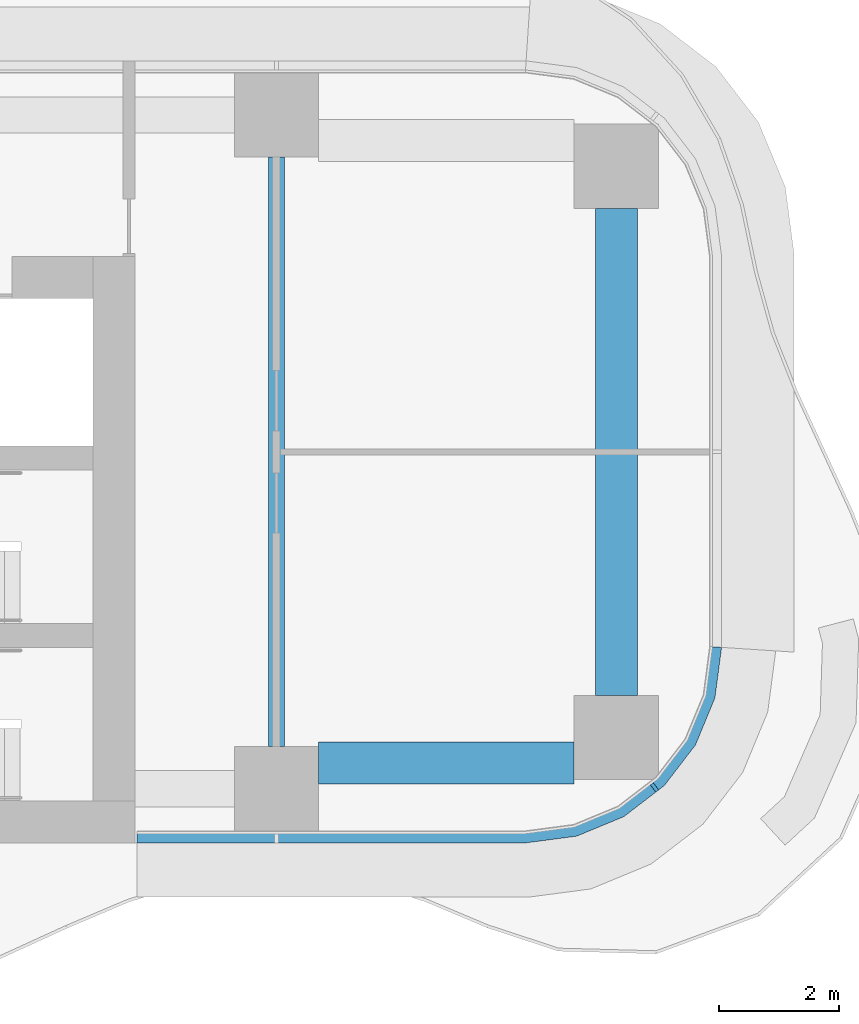
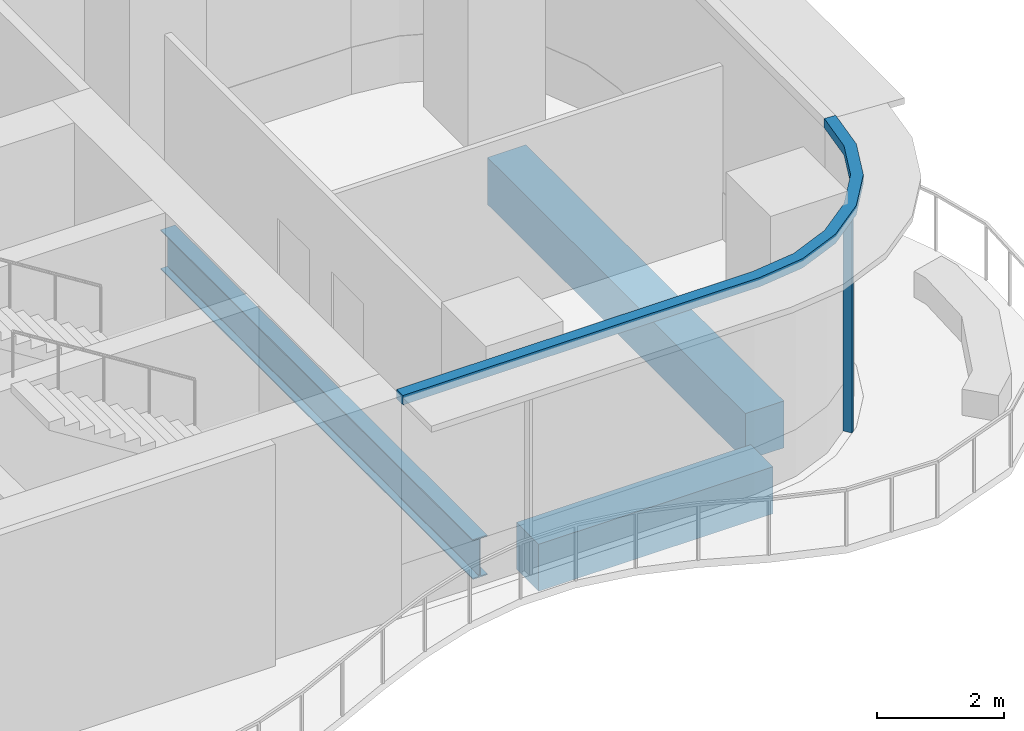
# One storey, part 7 of 22: 3 beams, 2 members, 1 element without a shape of its own.
"""IFC4 building model written with IfcOpenShell, lengths in metres."""

from ifc_helpers import new_model, si_unit, direction, frame, origin, origin_2d, place, context, subcontext, project, spatial, polyline, rectangle, i_section, outline, extrude, source, transform, mapped, material, layer, layer_set, material_profile, profile_set, type_object, element, aggregate, save


model = new_model("IFC4")

# Units and contexts
model_context = context("Model", 3, precision=1e-05, world=origin(), true_north=direction((0.0, 1.0)))
body_context = subcontext(model_context, "Body", "Model", "MODEL_VIEW")
ifc_project = project(units=[si_unit("LENGTHUNIT", "METRE"), si_unit("AREAUNIT", "SQUARE_METRE"), si_unit("VOLUMEUNIT", "CUBIC_METRE"), si_unit("PLANEANGLEUNIT", "RADIAN"), si_unit("MASSUNIT", "GRAM", prefix="KILO")], contexts=[model_context])

# Site, building, storey
site_placement = place(None, origin())
site = spatial("IfcSite", under=ifc_project, at=site_placement, CompositionType="ELEMENT")
building_placement = place(site_placement, origin())
building = spatial("IfcBuilding", under=site, at=building_placement, Name="Trellis Farm Tower", CompositionType="ELEMENT")
storey_placement = place(building_placement, frame((0.0, 0.0, 52.0)))
storey = spatial("IfcBuildingStorey", under=building, at=storey_placement, Name="L10", CompositionType="ELEMENT", Elevation=52.0)

# Beams
ifc_material_1 = material(Name="Steel S355", Category="steel")
ifc_material_profile_1 = material_profile(ifc_material_1, i_section(OverallWidth=0.2666015625, OverallDepth=0.76220703125, WebThickness=0.014404296875, FlangeThickness=0.021484375, FilletRadius=0.0166015625, at=origin_2d()), Name="UB 762x267x173")
ifc_profile_set_1 = profile_set([ifc_material_profile_1], Name="Steel S355")
beam_type_1 = type_object("IfcBeamType", Name="UB 762x267x173", PredefinedType="BEAM", material=ifc_profile_set_1)
shared_shape_1 = source(origin(), body_context, "Body", "SweptSolid", [
    extrude(i_section(OverallWidth=0.2666015625, OverallDepth=0.76220703125, WebThickness=0.014404296875, FlangeThickness=0.021484375, FilletRadius=0.0166015625, at=origin_2d()), origin(), (0.0, 0.0, 1.0), 9.7998046875),
])
beam_1_placement = place(storey_placement, frame((25.10009765625, -4.89990234375, -0.631103515625), z_axis=(0.0, 1.0, 0.0), x_axis=(-1.0, 0.0, 0.0)))
element("IfcBeam", 1, at=beam_1_placement, inside=storey, type_object=beam_type_1, Name="Girder", PredefinedType="BEAM", context=body_context, shape_type="MappedRepresentation", body=[
    mapped(shared_shape_1, transform((0.0, 0.0, 0.0))),
])
ifc_material_2 = material(Name="Concrete C60/75", Category="concrete")
ifc_material_profile_2 = material_profile(ifc_material_2, rectangle(XDim=0.699951171875, YDim=0.89990234375, at=origin_2d()), Name="RC spandrel beam 700x900 C60/75")
ifc_profile_set_2 = profile_set([ifc_material_profile_2], Name="Concrete C60/75")
beam_type_2 = type_object("IfcBeamType", Name="RC spandrel beam 700x900 C60/75", PredefinedType="SPANDREL", material=ifc_profile_set_2)
shared_shape_2 = source(origin(), body_context, "Body", "SweptSolid", [
    extrude(rectangle(XDim=0.699951171875, YDim=0.89990234375, at=origin_2d()), origin(), (0.0, 0.0, 1.0), 4.25),
])
beam_2_placement = place(storey_placement, frame((25.800048828125, -5.175048828125, -0.699951171875), z_axis=(1.0, 0.0, 0.0), x_axis=(0.0, 1.0, 0.0)))
element("IfcBeam", 2, at=beam_2_placement, inside=storey, type_object=beam_type_2, Name="Girder", PredefinedType="SPANDREL", context=body_context, shape_type="MappedRepresentation", body=[
    mapped(shared_shape_2, transform((0.0, 0.0, 0.0))),
])
shared_shape_3 = source(origin(), body_context, "Body", "SweptSolid", [
    extrude(rectangle(XDim=0.699951171875, YDim=0.89990234375, at=origin_2d()), origin(), (0.0, 0.0, 1.0), 8.10009765625),
])
beam_3_placement = place(storey_placement, frame((30.75, -4.050048828125, -0.699951171875), z_axis=(0.0, 1.0, 0.0), x_axis=(-1.0, 0.0, 0.0)))
element("IfcBeam", 3, at=beam_3_placement, inside=storey, type_object=beam_type_2, Name="Girder", PredefinedType="SPANDREL", context=body_context, shape_type="MappedRepresentation", body=[
    mapped(shared_shape_3, transform((0.0, 0.0, 0.0))),
])

# Curtain wall, members
ifc_material_3 = material(Name="Aluminium and glass curtain wall", Category="aluminium")
ifc_layer_1 = layer(ifc_material_3, 0.18994140625)
ifc_layer_set_1 = layer_set([ifc_layer_1], Name="RIBBON CURTAIN WALL CW1")
curtain_wall_type = type_object("IfcCurtainWallType", Name="RIBBON CURTAIN WALL CW1", PredefinedType="NOTDEFINED", material=ifc_layer_set_1)
curtain_wall_placement = place(storey_placement, origin())
curtain_wall = element("IfcCurtainWall", 4, at=curtain_wall_placement, inside=storey, type_object=curtain_wall_type, Name="CW1 006", PredefinedType="NOTDEFINED")
ifc_material_4 = material(Name="Aluminium extrusion 6063-T6", Category="aluminium")
ifc_material_profile_3 = material_profile(ifc_material_4, rectangle(XDim=0.06005859375, YDim=0.14990234375, at=origin_2d()), Name="MULLION 60x150")
ifc_profile_set_3 = profile_set([ifc_material_profile_3], Name="Aluminium extrusion 6063-T6")
member_type_1 = type_object("IfcMemberType", Name="CW1 MULLION 60x150", PredefinedType="MULLION", material=ifc_profile_set_3)
shared_shape_4 = source(origin(), body_context, "Body", "SweptSolid", [
    extrude(rectangle(XDim=0.06005859375, YDim=0.14990234375, at=origin_2d()), origin(), (0.0, 0.0, 1.0), 4.070068359375),
])
member_1_placement = place(storey_placement, frame((31.385498046875, -5.578369140625, 0.0), z_axis=(0.0, 0.0, 1.0), x_axis=(0.793353340291, 0.608761429009, 0.0)))
member_1 = element("IfcMember", 5, at=member_1_placement, type_object=member_type_1, Name="MU1 006-02", PredefinedType="MULLION", context=body_context, shape_type="MappedRepresentation", body=[
    mapped(shared_shape_4, transform((0.0, 0.0, 0.0))),
])
ifc_layer_2 = layer(ifc_material_4, 0.199951171875)
ifc_layer_set_2 = layer_set([ifc_layer_2], Name="Aluminium extrusion 6063-T6")
member_type_2 = type_object("IfcMemberType", Name="CW1 TRANSOM 200x180", PredefinedType="USERDEFINED", material=ifc_layer_set_2)
shared_shape_5 = source(origin(), body_context, "Body", "SweptSolid", [
    extrude(outline(polyline([(22.780029296875, -6.5), (29.25, -6.5), (30.091064453125, -6.38916015625), (30.875, -6.064697265625), (31.548095703125, -5.548095703125), (32.064697265625, -4.875), (32.38916015625, -4.091064453125), (32.5, -3.25), (32.300048828125, -3.23681640625), (32.1943359375, -4.0390625), (31.889892578125, -4.774169921875), (31.405517578125, -5.405517578125), (30.774169921875, -5.889892578125), (30.0390625, -6.1943359375), (29.23681640625, -6.300048828125), (22.780029296875, -6.300048828125), (22.780029296875, -6.5)])), origin(), (0.0, 0.0, 1.0), 0.179931640625),
])
member_2_placement = place(storey_placement, frame((0.0, 0.0, 4.070068359375)))
member_2 = element("IfcMember", 6, at=member_2_placement, type_object=member_type_2, Name="TR1 006", ObjectType="TRANSOM", PredefinedType="USERDEFINED", context=body_context, shape_type="MappedRepresentation", body=[
    mapped(shared_shape_5, transform((0.0, 0.0, 0.0))),
])
aggregate(curtain_wall, [member_1, member_2])

save(model, "model.ifc")
